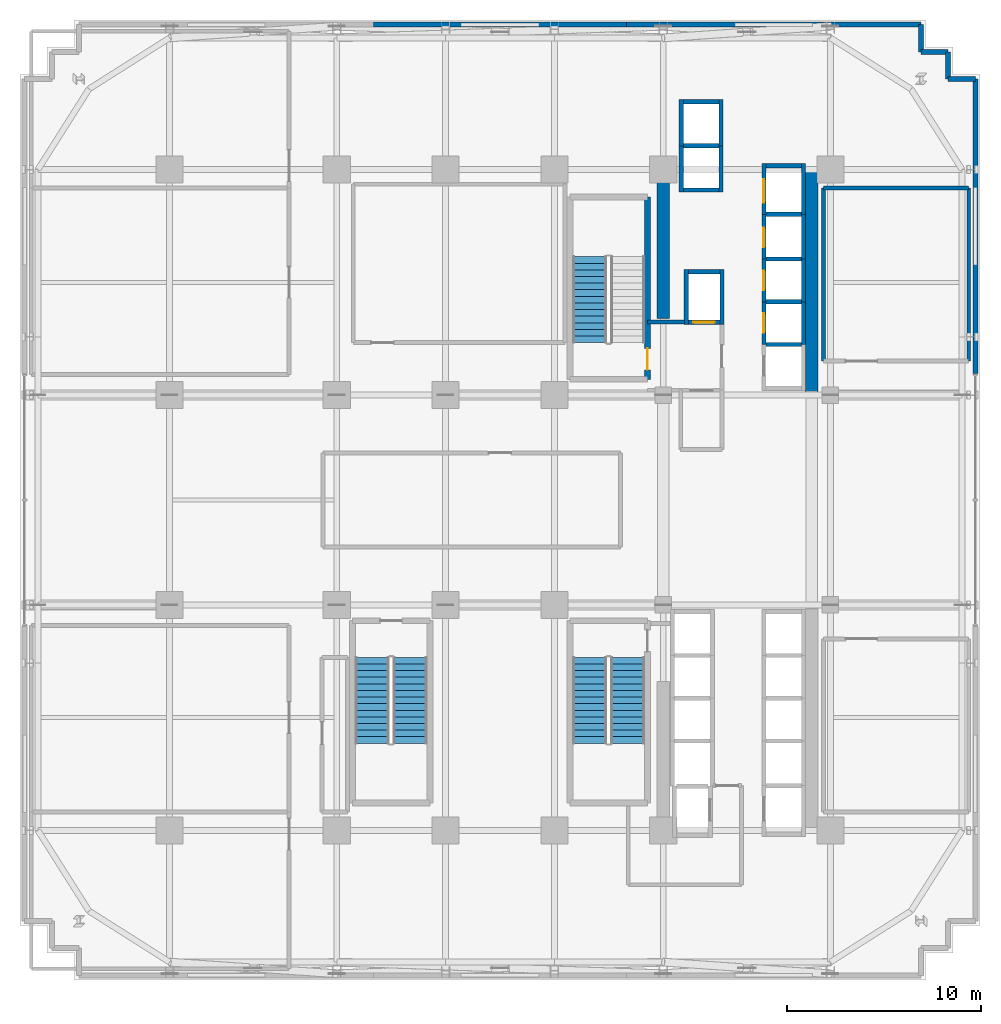
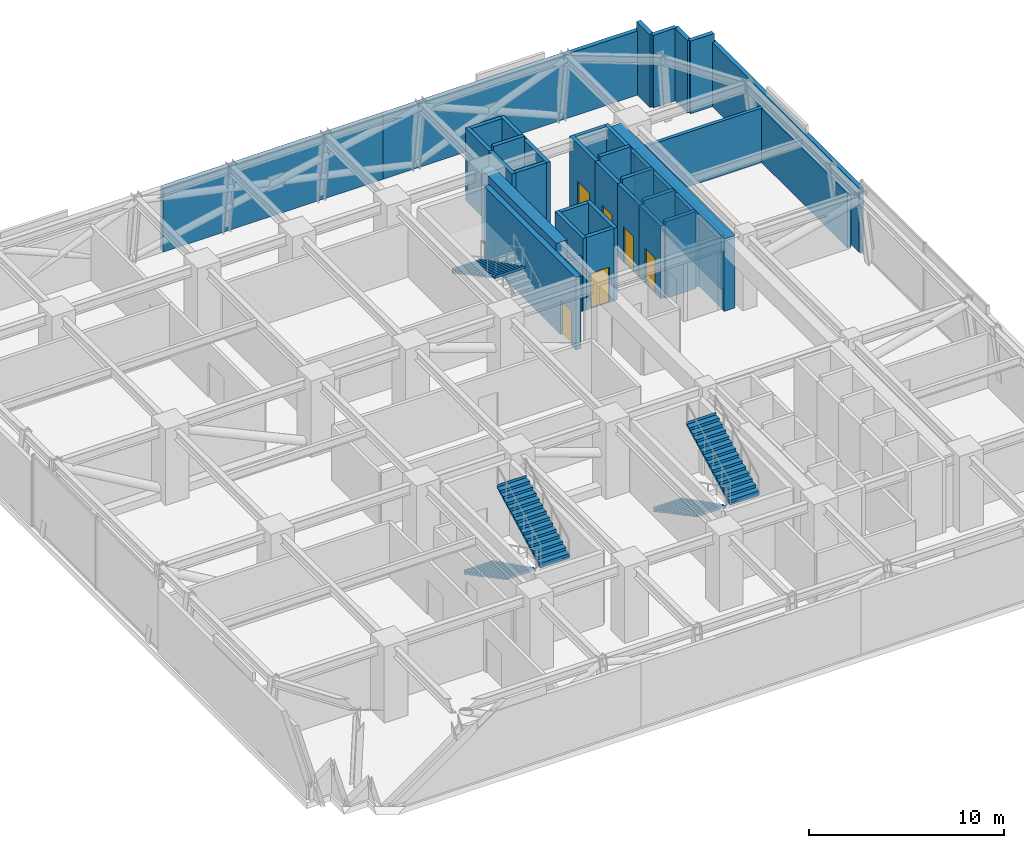
# One storey, part 12 of 17: 38 walls, 6 doors, 5 stair flights, 6 openings, 3 elements without a shape of their own.
"""IFC4 building model written with IfcOpenShell, lengths in metres."""

import ifcopenshell
import ifcopenshell.guid

model = None  # the IFC model being written
_history = None  # IfcOwnerHistory: only IFC2X3 demands one
_inside = {}  # id of a spatial element -> (the spatial element, [elements in it])
_under = {}  # id of a project, library or spatial element -> (it, [spatial elements below it])
_declared = {}  # id of a project -> (the project, [libraries it declares])
_typed = {}  # id of a type object -> (the type object, [elements of that type])
_made_of = {}  # id of a material, layer set ... -> (it, [elements and type objects made of it])


def new_model(schema):
    """Start an empty IFC model of exactly this schema.

    Asked for "IFC4X3", IfcOpenShell would pick the latest addendum, in which some entities
    have other attributes; the version numbers below select the first issue.
    IFC2X3 requires an IfcOwnerHistory on every rooted entity: one is made here for all.
    """
    global model, _history
    if schema == "IFC4X3":
        model = ifcopenshell.file(schema_version=(4, 3, 0, 0))
    else:
        model = ifcopenshell.file(schema=schema)
    _inside.clear()
    _under.clear()
    _declared.clear()
    _typed.clear()
    _made_of.clear()
    _history = None
    if model.schema == "IFC2X3":
        org = make("IfcOrganization", Name="unknown")
        user = make(
            "IfcPersonAndOrganization",
            ThePerson=make("IfcPerson", FamilyName="unknown"),
            TheOrganization=org,
        )
        app = make(
            "IfcApplication",
            ApplicationDeveloper=org,
            Version="unknown",
            ApplicationFullName="unknown",
            ApplicationIdentifier="unknown",
        )
        _history = make(
            "IfcOwnerHistory",
            OwningUser=user,
            OwningApplication=app,
            ChangeAction="ADDED",
            CreationDate=0,
        )
    return model


def make(cls, **values):
    """One entity of the class cls with the attributes given. An attribute that is None is left unset."""
    return model.create_entity(
        cls, **{name: value for name, value in values.items() if value is not None}
    )


def rooted(cls, **values):
    """An entity with a GlobalId (a new one), such as an element, a storey or a relation."""
    return make(cls, GlobalId=ifcopenshell.guid.new(), OwnerHistory=_history, **values)


def si_unit(unit_type, name, prefix=None):
    """IfcSIUnit, for example si_unit("LENGTHUNIT", "METRE", prefix="MILLI")."""
    return make("IfcSIUnit", UnitType=unit_type, Prefix=prefix, Name=name)


def assignment(units):
    """IfcUnitAssignment: the units of a project."""
    return None if units is None else make("IfcUnitAssignment", Units=units)


def point(xyz):
    """IfcCartesianPoint."""
    return None if xyz is None else make("IfcCartesianPoint", Coordinates=xyz)


def direction(xyz):
    """IfcDirection."""
    return None if xyz is None else make("IfcDirection", DirectionRatios=xyz)


def frame(location, z_axis=None, x_axis=None):
    """IfcAxis2Placement3D, a coordinate frame: its origin and axes. An axis left out is left unset."""
    return make(
        "IfcAxis2Placement3D",
        Location=point(location),
        Axis=direction(z_axis),
        RefDirection=direction(x_axis),
    )


def frame_2d(location, x_axis=None):
    """IfcAxis2Placement2D, a coordinate frame in the plane: its origin and x axis."""
    return make(
        "IfcAxis2Placement2D", Location=point(location), RefDirection=direction(x_axis)
    )


def origin():
    """The frame at (0, 0, 0) with its axes left unset."""
    return frame((0.0, 0.0, 0.0))


def place(relative_to, where):
    """IfcLocalPlacement: puts the frame where relative to a parent placement (None: the world)."""
    return make(
        "IfcLocalPlacement", PlacementRelTo=relative_to, RelativePlacement=where
    )


def context(
    kind, dimensions, precision=None, world=None, true_north=None, identifier=None
):
    """IfcGeometricRepresentationContext, for example the 3D "Model" context."""
    return make(
        "IfcGeometricRepresentationContext",
        ContextIdentifier=identifier,
        ContextType=kind,
        CoordinateSpaceDimension=dimensions,
        Precision=precision,
        WorldCoordinateSystem=world,
        TrueNorth=true_north,
    )


def subcontext(parent, identifier, kind, view, scale=None):
    """IfcGeometricRepresentationSubContext, for example "Body" below "Model"."""
    return make(
        "IfcGeometricRepresentationSubContext",
        ContextIdentifier=identifier,
        ContextType=kind,
        ParentContext=parent,
        TargetScale=scale,
        TargetView=view,
    )


def project(units=None, contexts=None):
    """IfcProject with its units and contexts."""
    return rooted(
        "IfcProject",
        Name="project",
        RepresentationContexts=contexts,
        UnitsInContext=assignment(units),
    )


def spatial(cls, under=None, at=None, **own):
    """A site, building, storey or space (cls), placed at a placement, below another one or the project."""
    s = rooted(cls, ObjectPlacement=at, **own)
    if under is not None:
        _under.setdefault(under.id(), (under, []))[1].append(s)
    return s


def polyline(points):
    """IfcPolyline through the points."""
    return make("IfcPolyline", Points=[point(p) for p in points])


def profile(cls, at=None, kind="AREA", **sizes):
    """A parametric profile (cls). Its sizes go by their IFC names, for example OverallWidth=200.0."""
    return make(cls, ProfileType=kind, Position=at, **sizes)


def rectangle(**sizes):
    """IfcRectangleProfileDef."""
    return profile("IfcRectangleProfileDef", **sizes)


def outline(outer, holes=None, kind="AREA"):
    """IfcArbitraryClosedProfileDef: a profile drawn as a closed curve; with holes, ...WithVoids."""
    if holes is None:
        return make("IfcArbitraryClosedProfileDef", ProfileType=kind, OuterCurve=outer)
    return make(
        "IfcArbitraryProfileDefWithVoids",
        ProfileType=kind,
        OuterCurve=outer,
        InnerCurves=holes,
    )


def extrude(swept, where, along, depth):
    """IfcExtrudedAreaSolid: the profile swept, set in the frame where, extruded along a direction by depth."""
    return make(
        "IfcExtrudedAreaSolid",
        SweptArea=swept,
        Position=where,
        ExtrudedDirection=direction(along),
        Depth=depth,
    )


def shape(context_of_items, identifier, shape_type, items):
    """IfcShapeRepresentation: the items that make up one representation, for example the "Body"."""
    return make(
        "IfcShapeRepresentation",
        ContextOfItems=context_of_items,
        RepresentationIdentifier=identifier,
        RepresentationType=shape_type,
        Items=items,
    )


def source(mapping_origin, context_of_items, identifier, shape_type, items):
    """IfcRepresentationMap: a shape defined once, which mapped items show again and again."""
    return make(
        "IfcRepresentationMap",
        MappingOrigin=mapping_origin,
        MappedRepresentation=shape(context_of_items, identifier, shape_type, items),
    )


def transform(
    local_origin,
    x_axis=None,
    y_axis=None,
    z_axis=None,
    scale=None,
    scale2=None,
    scale3=None,
    uniform=True,
):
    """IfcCartesianTransformationOperator3D, or its non-uniform kind. x_axis, y_axis, z_axis: its Axis1, 2, 3."""
    if uniform:
        return make(
            "IfcCartesianTransformationOperator3D",
            Axis1=direction(x_axis),
            Axis2=direction(y_axis),
            LocalOrigin=point(local_origin),
            Scale=scale,
            Axis3=direction(z_axis),
        )
    return make(
        "IfcCartesianTransformationOperator3DnonUniform",
        Axis1=direction(x_axis),
        Axis2=direction(y_axis),
        LocalOrigin=point(local_origin),
        Scale=scale,
        Axis3=direction(z_axis),
        Scale2=scale2,
        Scale3=scale3,
    )


def mapped(mapping_source, mapping_target):
    """IfcMappedItem: shows the shape of a source again, moved by a transform."""
    return make(
        "IfcMappedItem", MappingSource=mapping_source, MappingTarget=mapping_target
    )


def material(Name=None, Category=None):
    """IfcMaterial."""
    return make("IfcMaterial", Name=Name, Category=Category)


def layer(
    of_material, thickness, ventilated=None, Name=None, Category=None, Priority=None
):
    """IfcMaterialLayer: one layer of a wall or slab, of a material (None: an air gap)."""
    return make(
        "IfcMaterialLayer",
        Material=of_material,
        LayerThickness=thickness,
        IsVentilated=ventilated,
        Name=Name,
        Category=Category,
        Priority=Priority,
    )


def layer_set(layers, Name=None):
    """IfcMaterialLayerSet."""
    return make("IfcMaterialLayerSet", MaterialLayers=layers, LayerSetName=Name)


def made_of(thing, what):
    """Note that an element or type object is made of a material, layer set ...; save() writes the relation."""
    if what is not None:
        _made_of.setdefault(what.id(), (what, []))[1].append(thing)
    return thing


def type_object(cls, material=None, **own):
    """A type object (cls), such as IfcWallType, which elements share."""
    return made_of(rooted(cls, **own), material)


def element(
    cls,
    number,
    at=None,
    inside=None,
    cuts=None,
    type_object=None,
    material=None,
    context=None,
    identifier="Body",
    shape_type=None,
    held_by="IfcProductDefinitionShape",
    body=None,
    shapes=None,
    **own,
):
    """One element of the class cls, such as IfcWall. Its Tag is "e" and its number.

    at: its placement. inside: the storey or other place that contains it. cuts: it is an
    opening in that element (IfcRelVoidsElement). A single representation is given by context,
    identifier, shape_type and body (its items); several are given by shapes. held_by: the class
    of the entity that holds the representations. save() writes the other relations.
    """
    e = rooted(cls, Tag="e%d" % number, ObjectPlacement=at, **own)
    if body is not None:
        shapes = [shape(context, identifier, shape_type, body)]
    if shapes is not None:
        e.Representation = make(held_by, Representations=shapes)
    if inside is not None:
        _inside.setdefault(inside.id(), (inside, []))[1].append(e)
    if cuts is not None:
        rooted(
            "IfcRelVoidsElement", RelatingBuildingElement=cuts, RelatedOpeningElement=e
        )
    if type_object is not None:
        _typed.setdefault(type_object.id(), (type_object, []))[1].append(e)
    return made_of(e, material)


def fill(opening, filler):
    """IfcRelFillsElement: the door or window that sits in an opening."""
    return rooted(
        "IfcRelFillsElement",
        RelatingOpeningElement=opening,
        RelatedBuildingElement=filler,
    )


def aggregate(whole, parts):
    """IfcRelAggregates: a whole, such as a stair, and the parts it consists of."""
    return rooted("IfcRelAggregates", RelatingObject=whole, RelatedObjects=parts)


def save(model, path):
    """Write the relations noted so far, then the file.

    IfcRelAggregates (storeys below a building ...), IfcRelContainedInSpatialStructure (elements
    in a storey), IfcRelDefinesByType, IfcRelAssociatesMaterial and IfcRelDeclares: one each for
    every whole, place, type object, material and project.
    """
    for whole, parts in _under.values():
        aggregate(whole, parts)
    for where, things in _inside.values():
        rooted(
            "IfcRelContainedInSpatialStructure",
            RelatedElements=things,
            RelatingStructure=where,
        )
    for kind, things in _typed.values():
        rooted("IfcRelDefinesByType", RelatedObjects=things, RelatingType=kind)
    for what, things in _made_of.values():
        rooted("IfcRelAssociatesMaterial", RelatedObjects=things, RelatingMaterial=what)
    for by, libraries in _declared.values():
        rooted("IfcRelDeclares", RelatingContext=by, RelatedDefinitions=libraries)
    model.write(path)


model = new_model("IFC4")

# Units and contexts
model_context = context("Model", 3, precision=1e-05, world=origin(), true_north=direction((0.0, 1.0)))
body_context = subcontext(model_context, "Body", "Model", "MODEL_VIEW")
ifc_project = project(units=[si_unit("LENGTHUNIT", "METRE"), si_unit("AREAUNIT", "SQUARE_METRE"), si_unit("VOLUMEUNIT", "CUBIC_METRE"), si_unit("PLANEANGLEUNIT", "RADIAN"), si_unit("MASSUNIT", "GRAM", prefix="KILO")], contexts=[model_context])

# Site, building, storey
site_placement = place(None, origin())
site = spatial("IfcSite", under=ifc_project, at=site_placement, CompositionType="ELEMENT")
building_placement = place(site_placement, origin())
building = spatial("IfcBuilding", under=site, at=building_placement, Name="Nahalor Promenade Grand Hotel", CompositionType="ELEMENT")
storey_placement = place(building_placement, frame((0.0, 0.0, 83.5)))
storey = spatial("IfcBuildingStorey", under=building, at=storey_placement, Name="L20", CompositionType="ELEMENT", Elevation=83.5)

# Walls
ifc_material_1 = material(Name="Concrete B-60 (C50/60)", Category="concrete")
ifc_layer_1 = layer(ifc_material_1, 0.64990234375)
ifc_layer_set_1 = layer_set([ifc_layer_1], Name="Concrete B-60 (C50/60)")
wall_type_1 = type_object("IfcWallType", Name="Wall-CoreShear-650", PredefinedType="SHEAR", material=ifc_layer_set_1)
shared_shape_1 = source(origin(), body_context, "Body", "SweptSolid", [
    extrude(rectangle(XDim=7.64990234375, YDim=0.64990234375, at=frame_2d((3.824951171875, 0.0))), origin(), (0.0, 0.0, 1.0), 4.530029296875),
])
wall_1_placement = place(storey_placement, frame((8.39990234375, 9.35009765625, 0.0), z_axis=(0.0, 0.0, 1.0), x_axis=(0.0, 1.0, 0.0)))
element("IfcWall", 1, at=wall_1_placement, inside=storey, type_object=wall_type_1, Name="CWALL-L20-NW", PredefinedType="SHEAR", context=body_context, shape_type="MappedRepresentation", body=[
    mapped(shared_shape_1, transform((0.0, 0.0, 0.0), scale=1.0)),
])
shared_shape_2 = source(origin(), body_context, "Body", "SweptSolid", [
    extrude(rectangle(XDim=11.60009765625, YDim=0.64990234375, at=frame_2d((5.800048828125, 0.0))), origin(), (0.0, 0.0, 1.0), 4.530029296875),
])
wall_2_placement = place(storey_placement, frame((16.050048828125, 5.39990234375, 0.0), z_axis=(0.0, 0.0, 1.0), x_axis=(0.0, 1.0, 0.0)))
element("IfcWall", 2, at=wall_2_placement, inside=storey, type_object=wall_type_1, Name="CWALL-L20-NE", PredefinedType="SHEAR", context=body_context, shape_type="MappedRepresentation", body=[
    mapped(shared_shape_2, transform((0.0, 0.0, 0.0), scale=1.0)),
])

# Wall, opening, door
ifc_material_2 = material(Name="Concrete B-50 (C40/50)", Category="concrete")
ifc_layer_2 = layer(ifc_material_2, 0.300048828125)
ifc_layer_set_2 = layer_set([ifc_layer_2], Name="Concrete B-50 (C40/50)")
wall_type_2 = type_object("IfcWallType", Name="Wall-ShaftShear-300", PredefinedType="SHEAR", material=ifc_layer_set_2)
shared_shape_3 = source(origin(), body_context, "Body", "SweptSolid", [
    extrude(rectangle(XDim=9.380126953125, YDim=0.300048828125, at=frame_2d((4.68994140625, 0.0))), origin(), (0.0, 0.0, 1.0), 4.530029296875),
])
wall_3_placement = place(storey_placement, frame((7.590087890625, 6.2099609375, 0.0), z_axis=(0.0, 0.0, 1.0), x_axis=(0.0, 1.0, 0.0)))
wall_3 = element("IfcWall", 3, at=wall_3_placement, inside=storey, type_object=wall_type_2, Name="L20 Exit Stair ST1 Shaft Wall E", PredefinedType="SHEAR", context=body_context, shape_type="MappedRepresentation", body=[
    mapped(shared_shape_3, transform((0.0, 0.0, 0.0), scale=1.0)),
])
opening_1_placement = place(wall_3_placement, frame((0.489990234375, 0.0, 0.0)))
opening_1 = element("IfcOpeningElement", 4, at=opening_1_placement, cuts=wall_3, Name="Opening D-ST1", PredefinedType="OPENING", context=body_context, shape_type="SweptSolid", body=[
    extrude(rectangle(XDim=1.10009765625, YDim=2.14990234375, at=frame_2d((0.550048828125, 1.074951171875))), frame((0.0, 0.159912109375, 0.0), z_axis=(0.0, -1.0, 0.0), x_axis=(1.0, 0.0, 0.0)), (0.0, 0.0, 1.0), 0.320068359375),
])
ifc_material_3 = material(Name="Steel S355JR", Category="steel")
door_type_1 = type_object("IfcDoorType", Name="Door-StairFire-1100", OperationType="NOTDEFINED", PredefinedType="DOOR", material=ifc_material_3)
shared_shape_4 = source(origin(), body_context, "Body", "SweptSolid", [
    extrude(rectangle(XDim=1.10009765625, YDim=2.14990234375, at=frame_2d((0.550048828125, 1.074951171875))), frame((0.0, 0.02490234375, 0.0), z_axis=(0.0, -1.0, 0.0), x_axis=(1.0, 0.0, 0.0)), (0.0, 0.0, 1.0), 0.050048828125),
])
door_1_placement = place(opening_1_placement, origin())
door_1 = element("IfcDoor", 5, at=door_1_placement, inside=storey, type_object=door_type_1, Name="DR-STAIR-ST1-L20", OperationType="SINGLE_SWING_LEFT", OverallHeight=2.14990234375, OverallWidth=1.10009765625, PredefinedType="DOOR", context=body_context, shape_type="MappedRepresentation", body=[
    mapped(shared_shape_4, transform((0.0, 0.0, 0.0), scale=1.0)),
])
fill(opening_1, door_1)

# Walls
ifc_layer_3 = layer(ifc_material_2, 0.219970703125)
ifc_layer_set_3 = layer_set([ifc_layer_3], Name="Concrete B-50 (C40/50)")
wall_type_3 = type_object("IfcWallType", Name="Wall-LiftShaft-220", PredefinedType="SHEAR", material=ifc_layer_set_3)
shared_shape_5 = source(origin(), body_context, "Body", "SweptSolid", [
    extrude(rectangle(XDim=1.820068359375, YDim=0.219970703125, at=frame_2d((0.91015625, 0.0))), origin(), (0.0, 0.0, 1.0), 4.530029296875),
])
for number, where, z_axis, x_axis, name in (
    (6, (9.43994140625, 15.949951171875, 0.0), (0.0, 0.0, 1.0), (1.0, 0.0, 0.0), "L20 Lift OB1 Hoistway Wall S"),
    (7, (9.43994140625, 20.5, 0.0), (0.0, 0.0, 1.0), (1.0, 0.0, 0.0), "L20 Lift OB2 Hoistway Wall N"),
    (8, (13.68994140625, 17.199951171875, 0.0), (0.0, 0.0, 1.0), (1.0, 0.0, 0.0), "L20 Lift SV1 Hoistway Wall N"),
):
    element("IfcWall", number, at=place(storey_placement, frame(where, z_axis=z_axis, x_axis=x_axis)), inside=storey, type_object=wall_type_3, Name=name, PredefinedType="SHEAR", context=body_context, shape_type="MappedRepresentation", body=[
        mapped(shared_shape_5, transform((0.0, 0.0, 0.0), scale=1.0)),
    ])
shared_shape_6 = source(origin(), body_context, "Body", "SweptSolid", [
    extrude(rectangle(XDim=1.820068359375, YDim=0.219970703125, at=frame_2d((0.91015625, 0.0))), origin(), (0.0, 0.0, 1.0), 4.800048828125),
])
for number, where, z_axis, x_axis, name in (
    (9, (13.68994140625, 8.0, 0.0), (0.0, 0.0, 1.0), (1.0, 0.0, 0.0), "L20 Lift PL1 Hoistway Wall N"),
    (10, (13.68994140625, 10.199951171875, 0.0), (0.0, 0.0, 1.0), (1.0, 0.0, 0.0), "L20 Lift PL2 Hoistway Wall N"),
    (11, (13.68994140625, 12.39990234375, 0.0), (0.0, 0.0, 1.0), (1.0, 0.0, 0.0), "L20 Lift PL3 Hoistway Wall N"),
    (12, (13.68994140625, 14.699951171875, 0.0), (0.0, 0.0, 1.0), (1.0, 0.0, 0.0), "L20 Lift PL4 Hoistway Wall N"),
    (13, (9.43994140625, 18.22509765625, 0.0), (0.0, 0.0, 1.0), (1.0, 0.0, 0.0), "L20 Lift OB1 Hoistway Wall N"),
):
    element("IfcWall", number, at=place(storey_placement, frame(where, z_axis=z_axis, x_axis=x_axis)), inside=storey, type_object=wall_type_3, Name=name, PredefinedType="SHEAR", context=body_context, shape_type="MappedRepresentation", body=[
        mapped(shared_shape_6, transform((0.0, 0.0, 0.0), scale=1.0)),
    ])

# Wall, opening, door
shared_shape_7 = source(origin(), body_context, "Body", "SweptSolid", [
    extrude(rectangle(XDim=2.199951171875, YDim=0.219970703125, at=frame_2d((1.10009765625, 0.0))), origin(), (0.0, 0.0, 1.0), 4.530029296875),
])
wall_4_placement = place(storey_placement, frame((13.580078125, 8.0, 0.0), z_axis=(0.0, 0.0, 1.0), x_axis=(0.0, 1.0, 0.0)))
wall_4 = element("IfcWall", 14, at=wall_4_placement, inside=storey, type_object=wall_type_3, Name="L20 Lift PL2 Hoistway Wall W", PredefinedType="SHEAR", context=body_context, shape_type="MappedRepresentation", body=[
    mapped(shared_shape_7, transform((0.0, 0.0, 0.0), scale=1.0)),
])
opening_2_placement = place(wall_4_placement, frame((0.60009765625, 0.0, 0.0)))
opening_2 = element("IfcOpeningElement", 15, at=opening_2_placement, cuts=wall_4, Name="Opening LD-01", PredefinedType="OPENING", context=body_context, shape_type="SweptSolid", body=[
    extrude(rectangle(XDim=1.0, YDim=2.199951171875, at=frame_2d((0.5, 1.10009765625))), frame((0.0, 0.119873046875, 0.0), z_axis=(0.0, -1.0, 0.0), x_axis=(1.0, 0.0, 0.0)), (0.0, 0.0, 1.0), 0.239990234375),
])
door_type_2 = type_object("IfcDoorType", Name="Door-LiftLanding-1000", OperationType="DOUBLE_DOOR_SLIDING", PredefinedType="DOOR", material=ifc_material_3)
shared_shape_8 = source(origin(), body_context, "Body", "SweptSolid", [
    extrude(rectangle(XDim=1.0, YDim=2.199951171875, at=frame_2d((0.5, 1.10009765625))), frame((0.0, 0.02490234375, 0.0), z_axis=(0.0, -1.0, 0.0), x_axis=(1.0, 0.0, 0.0)), (0.0, 0.0, 1.0), 0.050048828125),
])
door_2_placement = place(opening_2_placement, origin())
door_2 = element("IfcDoor", 16, at=door_2_placement, inside=storey, type_object=door_type_2, Name="DR-LIFT-PL2-L20", OperationType="DOUBLE_DOOR_SLIDING", OverallHeight=2.199951171875, OverallWidth=1.0, PredefinedType="DOOR", context=body_context, shape_type="MappedRepresentation", body=[
    mapped(shared_shape_8, transform((0.0, 0.0, 0.0), scale=1.0)),
])
fill(opening_2, door_2)

# Wall
wall_5_placement = place(storey_placement, frame((15.6201171875, 8.0, 0.0), z_axis=(0.0, 0.0, 1.0), x_axis=(0.0, 1.0, 0.0)))
element("IfcWall", 17, at=wall_5_placement, inside=storey, type_object=wall_type_3, Name="L20 Lift PL2 Hoistway Wall E", PredefinedType="SHEAR", context=body_context, shape_type="MappedRepresentation", body=[
    mapped(shared_shape_7, transform((0.0, 0.0, 0.0), scale=1.0)),
])

# Wall, opening, door
wall_6_placement = place(storey_placement, frame((13.580078125, 10.199951171875, 0.0), z_axis=(0.0, 0.0, 1.0), x_axis=(0.0, 1.0, 0.0)))
wall_6 = element("IfcWall", 18, at=wall_6_placement, inside=storey, type_object=wall_type_3, Name="L20 Lift PL3 Hoistway Wall W", PredefinedType="SHEAR", context=body_context, shape_type="MappedRepresentation", body=[
    mapped(shared_shape_7, transform((0.0, 0.0, 0.0), scale=1.0)),
])
opening_3_placement = place(wall_6_placement, frame((0.60009765625, 0.0, 0.0)))
opening_3 = element("IfcOpeningElement", 19, at=opening_3_placement, cuts=wall_6, Name="Opening LD-01", PredefinedType="OPENING", context=body_context, shape_type="SweptSolid", body=[
    extrude(rectangle(XDim=1.0, YDim=2.199951171875, at=frame_2d((0.5, 1.10009765625))), frame((0.0, 0.119873046875, 0.0), z_axis=(0.0, -1.0, 0.0), x_axis=(1.0, 0.0, 0.0)), (0.0, 0.0, 1.0), 0.239990234375),
])
door_3_placement = place(opening_3_placement, origin())
door_3 = element("IfcDoor", 20, at=door_3_placement, inside=storey, type_object=door_type_2, Name="DR-LIFT-PL3-L20", OperationType="DOUBLE_DOOR_SLIDING", OverallHeight=2.199951171875, OverallWidth=1.0, PredefinedType="DOOR", context=body_context, shape_type="MappedRepresentation", body=[
    mapped(shared_shape_8, transform((0.0, 0.0, 0.0), scale=1.0)),
])
fill(opening_3, door_3)

# Wall
wall_7_placement = place(storey_placement, frame((15.6201171875, 10.199951171875, 0.0), z_axis=(0.0, 0.0, 1.0), x_axis=(0.0, 1.0, 0.0)))
element("IfcWall", 21, at=wall_7_placement, inside=storey, type_object=wall_type_3, Name="L20 Lift PL3 Hoistway Wall E", PredefinedType="SHEAR", context=body_context, shape_type="MappedRepresentation", body=[
    mapped(shared_shape_7, transform((0.0, 0.0, 0.0), scale=1.0)),
])

# Wall, opening, door
shared_shape_9 = source(origin(), body_context, "Body", "SweptSolid", [
    extrude(rectangle(XDim=2.300048828125, YDim=0.219970703125, at=frame_2d((1.14990234375, 0.0))), origin(), (0.0, 0.0, 1.0), 4.530029296875),
])
wall_8_placement = place(storey_placement, frame((13.580078125, 12.39990234375, 0.0), z_axis=(0.0, 0.0, 1.0), x_axis=(0.0, 1.0, 0.0)))
wall_8 = element("IfcWall", 22, at=wall_8_placement, inside=storey, type_object=wall_type_3, Name="L20 Lift PL4 Hoistway Wall W", PredefinedType="SHEAR", context=body_context, shape_type="MappedRepresentation", body=[
    mapped(shared_shape_9, transform((0.0, 0.0, 0.0), scale=1.0)),
])
opening_4_placement = place(wall_8_placement, frame((0.60009765625, 0.0, 0.0)))
opening_4 = element("IfcOpeningElement", 23, at=opening_4_placement, cuts=wall_8, Name="Opening LD-01", PredefinedType="OPENING", context=body_context, shape_type="SweptSolid", body=[
    extrude(rectangle(XDim=1.0, YDim=2.199951171875, at=frame_2d((0.5, 1.10009765625))), frame((0.0, 0.119873046875, 0.0), z_axis=(0.0, -1.0, 0.0), x_axis=(1.0, 0.0, 0.0)), (0.0, 0.0, 1.0), 0.239990234375),
])
door_4_placement = place(opening_4_placement, origin())
door_4 = element("IfcDoor", 24, at=door_4_placement, inside=storey, type_object=door_type_2, Name="DR-LIFT-PL4-L20", OperationType="DOUBLE_DOOR_SLIDING", OverallHeight=2.199951171875, OverallWidth=1.0, PredefinedType="DOOR", context=body_context, shape_type="MappedRepresentation", body=[
    mapped(shared_shape_8, transform((0.0, 0.0, 0.0), scale=1.0)),
])
fill(opening_4, door_4)

# Walls
wall_9_placement = place(storey_placement, frame((15.6201171875, 12.39990234375, 0.0), z_axis=(0.0, 0.0, 1.0), x_axis=(0.0, 1.0, 0.0)))
element("IfcWall", 25, at=wall_9_placement, inside=storey, type_object=wall_type_3, Name="L20 Lift PL4 Hoistway Wall E", PredefinedType="SHEAR", context=body_context, shape_type="MappedRepresentation", body=[
    mapped(shared_shape_9, transform((0.0, 0.0, 0.0), scale=1.0)),
])
shared_shape_10 = source(origin(), body_context, "Body", "SweptSolid", [
    extrude(rectangle(XDim=2.385009765625, YDim=0.219970703125, at=frame_2d((1.1923828125, 0.0))), origin(), (0.0, 0.0, 1.0), 4.530029296875),
])
for number, where, z_axis, x_axis, name in (
    (26, (9.330078125, 15.840087890625, 0.0), (0.0, 0.0, 1.0), (0.0, 1.0, 0.0), "L20 Lift OB1 Hoistway Wall W"),
    (27, (11.3701171875, 15.840087890625, 0.0), (0.0, 0.0, 1.0), (0.0, 1.0, 0.0), "L20 Lift OB1 Hoistway Wall E"),
    (28, (9.330078125, 18.22509765625, 0.0), (0.0, 0.0, 1.0), (0.0, 1.0, 0.0), "L20 Lift OB2 Hoistway Wall W"),
    (29, (11.3701171875, 18.22509765625, 0.0), (0.0, 0.0, 1.0), (0.0, 1.0, 0.0), "L20 Lift OB2 Hoistway Wall E"),
):
    element("IfcWall", number, at=place(storey_placement, frame(where, z_axis=z_axis, x_axis=x_axis)), inside=storey, type_object=wall_type_3, Name=name, PredefinedType="SHEAR", context=body_context, shape_type="MappedRepresentation", body=[
        mapped(shared_shape_10, transform((0.0, 0.0, 0.0), scale=1.0)),
    ])
shared_shape_11 = source(origin(), body_context, "Body", "SweptSolid", [
    extrude(rectangle(XDim=2.820068359375, YDim=0.219970703125, at=frame_2d((1.41015625, 0.0))), origin(), (0.0, 0.0, 1.0), 4.530029296875),
])
for number, where, z_axis, x_axis, name in (
    (30, (9.580078125, 9.0400390625, 0.0), (0.0, 0.0, 1.0), (0.0, 1.0, 0.0), "L20 Lift FL1 Hoistway Wall W"),
    (31, (11.419921875, 9.0400390625, 0.0), (0.0, 0.0, 1.0), (0.0, 1.0, 0.0), "L20 Lift FL1 Hoistway Wall E"),
):
    element("IfcWall", number, at=place(storey_placement, frame(where, z_axis=z_axis, x_axis=x_axis)), inside=storey, type_object=wall_type_3, Name=name, PredefinedType="SHEAR", context=body_context, shape_type="MappedRepresentation", body=[
        mapped(shared_shape_11, transform((0.0, 0.0, 0.0), scale=1.0)),
    ])

# Wall, opening, door
shared_shape_12 = source(origin(), body_context, "Body", "SweptSolid", [
    extrude(rectangle(XDim=1.6201171875, YDim=0.219970703125, at=frame_2d((0.81005859375, 0.0))), origin(), (0.0, 0.0, 1.0), 4.530029296875),
])
wall_10_placement = place(storey_placement, frame((9.68994140625, 9.14990234375, 0.0), z_axis=(0.0, 0.0, 1.0), x_axis=(1.0, 0.0, 0.0)))
wall_10 = element("IfcWall", 32, at=wall_10_placement, inside=storey, type_object=wall_type_3, Name="L20 Lift FL1 Hoistway Wall S", PredefinedType="SHEAR", context=body_context, shape_type="MappedRepresentation", body=[
    mapped(shared_shape_12, transform((0.0, 0.0, 0.0), scale=1.0)),
])
opening_5_placement = place(wall_10_placement, frame((0.260009765625, 0.0, 0.0)))
opening_5 = element("IfcOpeningElement", 33, at=opening_5_placement, cuts=wall_10, Name="Opening LD-02", PredefinedType="OPENING", context=body_context, shape_type="SweptSolid", body=[
    extrude(rectangle(XDim=1.10009765625, YDim=2.199951171875, at=frame_2d((0.550048828125, 1.10009765625))), frame((0.0, 0.119873046875, 0.0), z_axis=(0.0, -1.0, 0.0), x_axis=(1.0, 0.0, 0.0)), (0.0, 0.0, 1.0), 0.239990234375),
])
door_type_3 = type_object("IfcDoorType", Name="Door-LiftFF-1100", OperationType="DOUBLE_DOOR_SLIDING", PredefinedType="DOOR", material=ifc_material_3)
shared_shape_13 = source(origin(), body_context, "Body", "SweptSolid", [
    extrude(rectangle(XDim=1.10009765625, YDim=2.199951171875, at=frame_2d((0.550048828125, 1.10009765625))), frame((0.0, 0.02490234375, 0.0), z_axis=(0.0, -1.0, 0.0), x_axis=(1.0, 0.0, 0.0)), (0.0, 0.0, 1.0), 0.050048828125),
])
door_5_placement = place(opening_5_placement, frame((1.10009765625, 0.0, 0.0), z_axis=(0.0, 0.0, 1.0), x_axis=(-1.0, 0.0, 0.0)))
door_5 = element("IfcDoor", 34, at=door_5_placement, inside=storey, type_object=door_type_3, Name="DR-LIFT-FL1-L20", OperationType="DOUBLE_DOOR_SLIDING", OverallHeight=2.199951171875, OverallWidth=1.10009765625, PredefinedType="DOOR", context=body_context, shape_type="MappedRepresentation", body=[
    mapped(shared_shape_13, transform((0.0, 0.0, 0.0), scale=1.0)),
])
fill(opening_5, door_5)

# Wall
wall_11_placement = place(storey_placement, frame((9.68994140625, 11.75, 0.0), z_axis=(0.0, 0.0, 1.0), x_axis=(1.0, 0.0, 0.0)))
element("IfcWall", 35, at=wall_11_placement, inside=storey, type_object=wall_type_3, Name="L20 Lift FL1 Hoistway Wall N", PredefinedType="SHEAR", context=body_context, shape_type="MappedRepresentation", body=[
    mapped(shared_shape_12, transform((0.0, 0.0, 0.0), scale=1.0)),
])

# Wall, opening, door
shared_shape_14 = source(origin(), body_context, "Body", "SweptSolid", [
    extrude(rectangle(XDim=2.610107421875, YDim=0.219970703125, at=frame_2d((1.30517578125, 0.0))), origin(), (0.0, 0.0, 1.0), 4.530029296875),
])
wall_12_placement = place(storey_placement, frame((13.580078125, 14.699951171875, 0.0), z_axis=(0.0, 0.0, 1.0), x_axis=(0.0, 1.0, 0.0)))
wall_12 = element("IfcWall", 36, at=wall_12_placement, inside=storey, type_object=wall_type_3, Name="L20 Lift SV1 Hoistway Wall W", PredefinedType="SHEAR", context=body_context, shape_type="MappedRepresentation", body=[
    mapped(shared_shape_14, transform((0.0, 0.0, 0.0), scale=1.0)),
])
opening_6_placement = place(wall_12_placement, frame((0.60009765625, 0.0, 0.0)))
opening_6 = element("IfcOpeningElement", 37, at=opening_6_placement, cuts=wall_12, Name="Opening LD-03", PredefinedType="OPENING", context=body_context, shape_type="SweptSolid", body=[
    extrude(rectangle(XDim=1.199951171875, YDim=2.199951171875, at=frame_2d((0.60009765625, 1.10009765625))), frame((0.0, 0.119873046875, 0.0), z_axis=(0.0, -1.0, 0.0), x_axis=(1.0, 0.0, 0.0)), (0.0, 0.0, 1.0), 0.239990234375),
])
door_type_4 = type_object("IfcDoorType", Name="Door-LiftService-1200", OperationType="DOUBLE_DOOR_SLIDING", PredefinedType="DOOR", material=ifc_material_3)
shared_shape_15 = source(origin(), body_context, "Body", "SweptSolid", [
    extrude(rectangle(XDim=1.199951171875, YDim=2.199951171875, at=frame_2d((0.60009765625, 1.10009765625))), frame((0.0, 0.02490234375, 0.0), z_axis=(0.0, -1.0, 0.0), x_axis=(1.0, 0.0, 0.0)), (0.0, 0.0, 1.0), 0.050048828125),
])
door_6_placement = place(opening_6_placement, origin())
door_6 = element("IfcDoor", 38, at=door_6_placement, inside=storey, type_object=door_type_4, Name="DR-LIFT-SV1-L20", OperationType="DOUBLE_DOOR_SLIDING", OverallHeight=2.199951171875, OverallWidth=1.199951171875, PredefinedType="DOOR", context=body_context, shape_type="MappedRepresentation", body=[
    mapped(shared_shape_15, transform((0.0, 0.0, 0.0), scale=1.0)),
])
fill(opening_6, door_6)

# Walls
wall_13_placement = place(storey_placement, frame((15.6201171875, 14.699951171875, 0.0), z_axis=(0.0, 0.0, 1.0), x_axis=(0.0, 1.0, 0.0)))
element("IfcWall", 39, at=wall_13_placement, inside=storey, type_object=wall_type_3, Name="L20 Lift SV1 Hoistway Wall E", PredefinedType="SHEAR", context=body_context, shape_type="MappedRepresentation", body=[
    mapped(shared_shape_14, transform((0.0, 0.0, 0.0), scale=1.0)),
])
ifc_material_4 = material(Name="Concrete B-40 (C32/40)", Category="concrete")
ifc_layer_4 = layer(ifc_material_4, 0.25)
ifc_layer_set_4 = layer_set([ifc_layer_4], Name="Concrete B-40 (C32/40)")
wall_type_4 = type_object("IfcWallType", Name="Wall-BronzePier-250", PredefinedType="STANDARD", material=ifc_layer_set_4)
shared_shape_16 = source(origin(), body_context, "Body", "SweptSolid", [
    extrude(rectangle(XDim=1.39990234375, YDim=0.25, at=frame_2d((0.699951171875, 0.0))), origin(), (0.0, 0.0, 1.0), 4.530029296875),
])
for number, where, z_axis, x_axis, name in (
    (40, (23.06005859375, 21.659912109375, 0.0), (0.0, 0.0, 1.0), (1.0, 0.0, 0.0), "W-L20-SR-05"),
    (41, (21.659912109375, 23.06005859375, 0.0), (0.0, 0.0, 1.0), (0.0, 1.0, 0.0), "W-L20-SR-08"),
):
    element("IfcWall", number, at=place(storey_placement, frame(where, z_axis=z_axis, x_axis=x_axis)), inside=storey, type_object=wall_type_4, Name=name, PredefinedType="STANDARD", context=body_context, shape_type="MappedRepresentation", body=[
        mapped(shared_shape_16, transform((0.0, 0.0, 0.0), scale=1.0)),
    ])
shared_shape_17 = source(origin(), body_context, "Body", "SweptSolid", [
    extrude(rectangle(XDim=1.400146484375, YDim=0.25, at=frame_2d((0.7001953125, 0.0))), origin(), (0.0, 0.0, 1.0), 4.530029296875),
])
for number, where, z_axis, x_axis, name in (
    (42, (23.06005859375, 21.659912109375, 0.0), (0.0, 0.0, 1.0), (0.0, 1.0, 0.0), "W-L20-SR-06"),
    (43, (21.659912109375, 23.06005859375, 0.0), (0.0, 0.0, 1.0), (1.0, 0.0, 0.0), "W-L20-SR-07"),
):
    element("IfcWall", number, at=place(storey_placement, frame(where, z_axis=z_axis, x_axis=x_axis)), inside=storey, type_object=wall_type_4, Name=name, PredefinedType="STANDARD", context=body_context, shape_type="MappedRepresentation", body=[
        mapped(shared_shape_17, transform((0.0, 0.0, 0.0), scale=1.0)),
    ])
shared_shape_18 = source(origin(), body_context, "Body", "SweptSolid", [
    extrude(rectangle(XDim=15.159912109375, YDim=0.25, at=frame_2d((7.580078125, 0.0))), origin(), (0.0, 0.0, 1.0), 4.010009765625),
])
for number, where, z_axis, x_axis, name in (
    (44, (6.5, 24.4599609375, 0.0), (0.0, 0.0, 1.0), (1.0, 0.0, 0.0), "W-L20-PL-NR"),
    (45, (24.4599609375, 6.5, 0.0), (0.0, 0.0, 1.0), (0.0, 1.0, 0.0), "W-L20-PL-ER"),
):
    element("IfcWall", number, at=place(storey_placement, frame(where, z_axis=z_axis, x_axis=x_axis)), inside=storey, type_object=wall_type_4, Name=name, PredefinedType="STANDARD", context=body_context, shape_type="MappedRepresentation", body=[
        mapped(shared_shape_18, transform((0.0, 0.0, 0.0), scale=1.0)),
    ])
shared_shape_19 = source(origin(), body_context, "Body", "SweptSolid", [
    extrude(rectangle(XDim=13.0, YDim=0.25, at=frame_2d((6.5, 0.0))), origin(), (0.0, 0.0, 1.0), 4.010009765625),
])
wall_14_placement = place(storey_placement, frame((-6.5, 24.4599609375, 0.0), z_axis=(0.0, 0.0, 1.0), x_axis=(1.0, 0.0, 0.0)))
element("IfcWall", 46, at=wall_14_placement, inside=storey, type_object=wall_type_4, Name="W-L20-PL-NM", PredefinedType="STANDARD", context=body_context, shape_type="MappedRepresentation", body=[
    mapped(shared_shape_19, transform((0.0, 0.0, 0.0), scale=1.0)),
])
ifc_layer_5 = layer(ifc_material_4, 0.199951171875)
ifc_layer_set_5 = layer_set([ifc_layer_5], Name="Concrete B-40 (C32/40)")
wall_type_5 = type_object("IfcWallType", Name="Wall-PartFire-200", PredefinedType="PARTITIONING", material=ifc_layer_set_5)
shared_shape_20 = source(origin(), body_context, "Body", "SweptSolid", [
    extrude(rectangle(XDim=1.89990234375, YDim=0.199951171875, at=frame_2d((0.949951171875, 0.0))), origin(), (0.0, 0.0, 1.0), 3.39990234375),
])
wall_15_placement = place(storey_placement, frame((7.60009765625, 9.14990234375, 0.0), z_axis=(0.0, 0.0, 1.0), x_axis=(1.0, 0.0, 0.0)))
element("IfcWall", 47, at=wall_15_placement, inside=storey, type_object=wall_type_5, Name="W-L20-FF1-N", PredefinedType="PARTITIONING", context=body_context, shape_type="MappedRepresentation", body=[
    mapped(shared_shape_20, transform((0.0, 0.0, 0.0), scale=1.0)),
])
shared_shape_21 = source(origin(), body_context, "Body", "SweptSolid", [
    extrude(rectangle(XDim=7.47021484375, YDim=0.199951171875, at=frame_2d((3.735107421875, 0.0))), origin(), (0.0, 0.0, 1.0), 3.39990234375),
])
wall_16_placement = place(storey_placement, frame((16.64990234375, 16.050048828125, 0.0), z_axis=(0.0, 0.0, 1.0), x_axis=(1.0, 0.0, 0.0)))
element("IfcWall", 48, at=wall_16_placement, inside=storey, type_object=wall_type_5, Name="W-L20-MP5-N", PredefinedType="PARTITIONING", context=body_context, shape_type="MappedRepresentation", body=[
    mapped(shared_shape_21, transform((0.0, 0.0, 0.0), scale=1.0)),
])
shared_shape_22 = source(origin(), body_context, "Body", "SweptSolid", [
    extrude(rectangle(XDim=8.900146484375, YDim=0.199951171875, at=frame_2d((4.4501953125, 0.0))), origin(), (0.0, 0.0, 1.0), 3.39990234375),
])
for number, where, z_axis, x_axis, name in (
    (49, (16.64990234375, 7.14990234375, 0.0), (0.0, 0.0, 1.0), (0.0, 1.0, 0.0), "W-L20-MP5-W"),
    (50, (24.1201171875, 7.14990234375, 0.0), (0.0, 0.0, 1.0), (0.0, 1.0, 0.0), "W-L20-MP5-E"),
):
    element("IfcWall", number, at=place(storey_placement, frame(where, z_axis=z_axis, x_axis=x_axis)), inside=storey, type_object=wall_type_5, Name=name, PredefinedType="PARTITIONING", context=body_context, shape_type="MappedRepresentation", body=[
        mapped(shared_shape_22, transform((0.0, 0.0, 0.0), scale=1.0)),
    ])

# Stair, stair flight
stair_type_1 = type_object("IfcStairType", Name="Stair-ST1", PredefinedType="HALF_TURN_STAIR", material=ifc_material_2)
stair_1_placement = place(storey_placement, origin())
stair_1 = element("IfcStair", 51, at=stair_1_placement, inside=storey, type_object=stair_type_1, Name="L20 ST1", PredefinedType="HALF_TURN_STAIR")
ifc_layer_6 = layer(ifc_material_2, 0.179931640625)
ifc_layer_set_6 = layer_set([ifc_layer_6], Name="Concrete B-50 (C40/50)")
stair_flight_type_1 = type_object("IfcStairFlightType", Name="Flight-ST1", PredefinedType="STRAIGHT", material=ifc_layer_set_6)
shared_shape_23 = source(origin(), body_context, "Body", "SweptSolid", [
    extrude(outline(polyline([(-0.00390625, -0.1201171875), (-0.00390625, 0.0), (0.0, 0.0), (0.0, 0.17138671875), (0.340087890625, 0.17138671875), (0.340087890625, 0.3427734375), (0.679931640625, 0.3427734375), (0.679931640625, 0.514404296875), (1.02001953125, 0.514404296875), (1.02001953125, 0.685791015625), (1.360107421875, 0.685791015625), (1.360107421875, 0.857177734375), (1.699951171875, 0.857177734375), (1.699951171875, 1.028564453125), (2.0400390625, 1.028564453125), (2.0400390625, 1.199951171875), (2.3798828125, 1.199951171875), (2.3798828125, 1.371337890625), (2.719970703125, 1.371337890625), (2.719970703125, 1.54296875), (3.06005859375, 1.54296875), (3.06005859375, 1.71435546875), (3.39990234375, 1.71435546875), (3.39990234375, 1.8857421875), (3.739990234375, 1.8857421875), (3.739990234375, 2.05712890625), (4.080078125, 2.05712890625), (4.080078125, 2.228515625), (4.419921875, 2.228515625), (4.419921875, 2.39990234375), (4.424072265625, 2.39990234375), (4.424072265625, 2.219970703125), (0.02001953125, -0.1201171875), (-0.00390625, -0.1201171875)])), frame((0.0, 0.875, 0.0), z_axis=(0.0, -1.0, 0.0), x_axis=(1.0, 0.0, 0.0)), (0.0, 0.0, 1.0), 1.75),
])
stair_flight_1_placement = place(storey_placement, frame((4.625, 12.52001953125, 2.39990234375), z_axis=(0.0, 0.0, 1.0), x_axis=(0.0, -1.0, 0.0)))
stair_flight_1 = element("IfcStairFlight", 52, at=stair_flight_1_placement, type_object=stair_flight_type_1, Name="ST1 flight 2", NumberOfRisers=14, NumberOfTreads=13, PredefinedType="STRAIGHT", RiserHeight=0.171428571, TreadLength=0.34, context=body_context, shape_type="MappedRepresentation", body=[
    mapped(shared_shape_23, transform((0.0, 0.0, 0.0), scale=1.0)),
])
aggregate(stair_1, [stair_flight_1])

# Stair, stair flights
stair_type_2 = type_object("IfcStairType", Name="Stair-ST2", PredefinedType="HALF_TURN_STAIR", material=ifc_material_2)
stair_2_placement = place(storey_placement, origin())
stair_2 = element("IfcStair", 53, at=stair_2_placement, inside=storey, type_object=stair_type_2, Name="L20 ST2", PredefinedType="HALF_TURN_STAIR")
ifc_layer_7 = layer(ifc_material_2, 0.18994140625)
ifc_layer_set_7 = layer_set([ifc_layer_7], Name="Concrete B-50 (C40/50)")
stair_flight_type_2 = type_object("IfcStairFlightType", Name="Flight-ST2", PredefinedType="STRAIGHT", material=ifc_layer_set_7)
shared_shape_24 = source(origin(), body_context, "Body", "SweptSolid", [
    extrude(outline(polyline([(-0.00390625, -0.1201171875), (-0.00390625, 0.0), (0.0, 0.0), (0.0, 0.17138671875), (0.340087890625, 0.17138671875), (0.340087890625, 0.3427734375), (0.679931640625, 0.3427734375), (0.679931640625, 0.514404296875), (1.02001953125, 0.514404296875), (1.02001953125, 0.685791015625), (1.360107421875, 0.685791015625), (1.360107421875, 0.857177734375), (1.699951171875, 0.857177734375), (1.699951171875, 1.028564453125), (2.0400390625, 1.028564453125), (2.0400390625, 1.199951171875), (2.3798828125, 1.199951171875), (2.3798828125, 1.371337890625), (2.719970703125, 1.371337890625), (2.719970703125, 1.54296875), (3.06005859375, 1.54296875), (3.06005859375, 1.71435546875), (3.39990234375, 1.71435546875), (3.39990234375, 1.8857421875), (3.739990234375, 1.8857421875), (3.739990234375, 2.05712890625), (4.080078125, 2.05712890625), (4.080078125, 2.228515625), (4.419921875, 2.228515625), (4.419921875, 2.39990234375), (4.424072265625, 2.39990234375), (4.424072265625, 2.219970703125), (0.02001953125, -0.1201171875), (-0.00390625, -0.1201171875)])), frame((0.0, 0.875, 0.0), z_axis=(0.0, -1.0, 0.0), x_axis=(1.0, 0.0, 0.0)), (0.0, 0.0, 1.0), 1.75),
])
stair_flight_2_placement = place(storey_placement, frame((4.625, -8.10009765625, 0.0), z_axis=(0.0, 0.0, 1.0), x_axis=(0.0, -1.0, 0.0)))
stair_flight_2 = element("IfcStairFlight", 54, at=stair_flight_2_placement, type_object=stair_flight_type_2, Name="ST2 flight 1", NumberOfRisers=14, NumberOfTreads=13, PredefinedType="STRAIGHT", RiserHeight=0.171428571, TreadLength=0.34, context=body_context, shape_type="MappedRepresentation", body=[
    mapped(shared_shape_24, transform((0.0, 0.0, 0.0), scale=1.0)),
])
stair_flight_3_placement = place(storey_placement, frame((6.574951171875, -12.52001953125, 2.39990234375), z_axis=(0.0, 0.0, 1.0), x_axis=(0.0, 1.0, 0.0)))
stair_flight_3 = element("IfcStairFlight", 55, at=stair_flight_3_placement, type_object=stair_flight_type_2, Name="ST2 flight 2", NumberOfRisers=14, NumberOfTreads=13, PredefinedType="STRAIGHT", RiserHeight=0.171428571, TreadLength=0.34, context=body_context, shape_type="MappedRepresentation", body=[
    mapped(shared_shape_24, transform((0.0, 0.0, 0.0), scale=1.0)),
])
aggregate(stair_2, [stair_flight_2, stair_flight_3])

stair_type_3 = type_object("IfcStairType", Name="Stair-ST3", PredefinedType="HALF_TURN_STAIR", material=ifc_material_2)
stair_3_placement = place(storey_placement, origin())
stair_3 = element("IfcStair", 56, at=stair_3_placement, inside=storey, type_object=stair_type_3, Name="L20 ST3", PredefinedType="HALF_TURN_STAIR")
ifc_layer_8 = layer(ifc_material_2, 0.199951171875)
ifc_layer_set_8 = layer_set([ifc_layer_8], Name="Concrete B-50 (C40/50)")
stair_flight_type_3 = type_object("IfcStairFlightType", Name="Flight-ST3", PredefinedType="STRAIGHT", material=ifc_layer_set_8)
shared_shape_25 = source(origin(), body_context, "Body", "SweptSolid", [
    extrude(outline(polyline([(-0.00390625, -0.1201171875), (-0.00390625, 0.0), (0.0, 0.0), (0.0, 0.17138671875), (0.340087890625, 0.17138671875), (0.340087890625, 0.3427734375), (0.679931640625, 0.3427734375), (0.679931640625, 0.514404296875), (1.02001953125, 0.514404296875), (1.02001953125, 0.685791015625), (1.360107421875, 0.685791015625), (1.360107421875, 0.857177734375), (1.699951171875, 0.857177734375), (1.699951171875, 1.028564453125), (2.0400390625, 1.028564453125), (2.0400390625, 1.199951171875), (2.3798828125, 1.199951171875), (2.3798828125, 1.371337890625), (2.719970703125, 1.371337890625), (2.719970703125, 1.54296875), (3.06005859375, 1.54296875), (3.06005859375, 1.71435546875), (3.39990234375, 1.71435546875), (3.39990234375, 1.8857421875), (3.739990234375, 1.8857421875), (3.739990234375, 2.05712890625), (4.080078125, 2.05712890625), (4.080078125, 2.228515625), (4.419921875, 2.228515625), (4.419921875, 2.39990234375), (4.424072265625, 2.39990234375), (4.424072265625, 2.219970703125), (0.02001953125, -0.1201171875), (-0.00390625, -0.1201171875)])), frame((0.0, 0.875, 0.0), z_axis=(0.0, -1.0, 0.0), x_axis=(1.0, 0.0, 0.0)), (0.0, 0.0, 1.0), 1.75),
])
stair_flight_4_placement = place(storey_placement, frame((-6.574951171875, -8.10009765625, 0.0), z_axis=(0.0, 0.0, 1.0), x_axis=(0.0, -1.0, 0.0)))
stair_flight_4 = element("IfcStairFlight", 57, at=stair_flight_4_placement, type_object=stair_flight_type_3, Name="ST3 flight 1", NumberOfRisers=14, NumberOfTreads=13, PredefinedType="STRAIGHT", RiserHeight=0.171428571, TreadLength=0.34, context=body_context, shape_type="MappedRepresentation", body=[
    mapped(shared_shape_25, transform((0.0, 0.0, 0.0), scale=1.0)),
])
stair_flight_5_placement = place(storey_placement, frame((-4.625, -12.52001953125, 2.39990234375), z_axis=(0.0, 0.0, 1.0), x_axis=(0.0, 1.0, 0.0)))
stair_flight_5 = element("IfcStairFlight", 58, at=stair_flight_5_placement, type_object=stair_flight_type_3, Name="ST3 flight 2", NumberOfRisers=14, NumberOfTreads=13, PredefinedType="STRAIGHT", RiserHeight=0.171428571, TreadLength=0.34, context=body_context, shape_type="MappedRepresentation", body=[
    mapped(shared_shape_25, transform((0.0, 0.0, 0.0), scale=1.0)),
])
aggregate(stair_3, [stair_flight_4, stair_flight_5])

save(model, "model.ifc")
